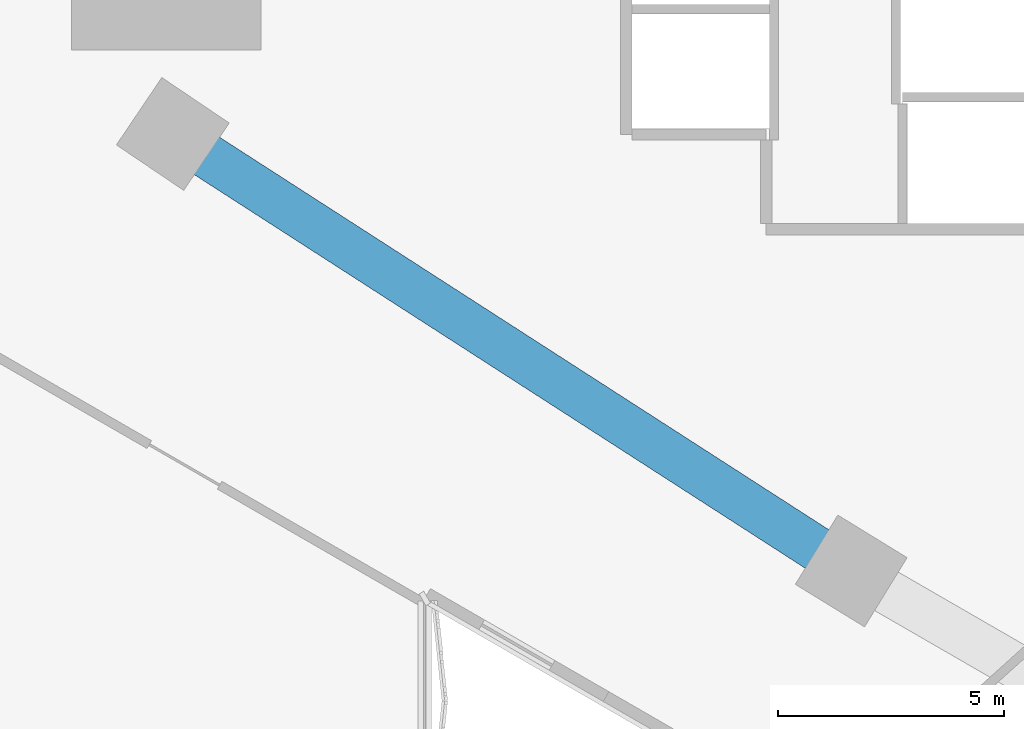
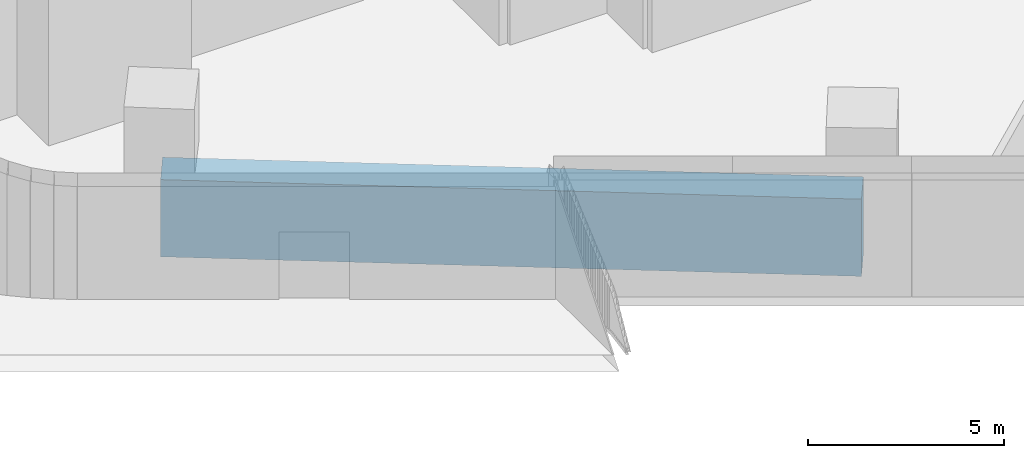
# One storey, part 3 of 24: 1 beam.
"""IFC4 building model written with IfcOpenShell, lengths in metres."""

from ifc_helpers import new_model, si_unit, direction, frame, origin, origin_2d, place, context, subcontext, project, spatial, rectangle, extrude, material, material_profile, profile_set, type_object, element, save


model = new_model("IFC4")

# Units and contexts
model_context = context("Model", 3, precision=1e-05, world=origin(), true_north=direction((0.0, 1.0)))
body_context = subcontext(model_context, "Body", "Model", "MODEL_VIEW")
ifc_project = project(units=[si_unit("LENGTHUNIT", "METRE"), si_unit("AREAUNIT", "SQUARE_METRE"), si_unit("VOLUMEUNIT", "CUBIC_METRE"), si_unit("PLANEANGLEUNIT", "RADIAN"), si_unit("MASSUNIT", "GRAM", prefix="KILO")], contexts=[model_context])

# Site, building, storey
site_placement = place(None, origin())
site = spatial("IfcSite", under=ifc_project, at=site_placement, CompositionType="ELEMENT")
building_placement = place(site_placement, origin())
building = spatial("IfcBuilding", under=site, at=building_placement, Name="Tamra Quay Hotel Tower", CompositionType="ELEMENT")
storey_placement = place(building_placement, frame((0.0, 0.0, 19.5)))
storey = spatial("IfcBuildingStorey", under=building, at=storey_placement, Name="L03", CompositionType="ELEMENT", Elevation=19.5)

# Beam
ifc_material = material(Name="Concrete M60", Category="concrete")
ifc_material_profile = material_profile(ifc_material, rectangle(XDim=1.0, YDim=2.39990234375, at=origin_2d()), Name="PODIUM RING GIRDER RC 1000x2400")
ifc_profile_set = profile_set([ifc_material_profile], Name="Concrete M60")
beam_type = type_object("IfcBeamType", Name="PODIUM RING GIRDER RC 1000x2400", PredefinedType="BEAM", material=ifc_profile_set)
beam_placement = place(storey_placement, frame((-35.58349609375, -3.564697265625, -1.550048828125), z_axis=(0.840663037387, -0.541558544915, 0.0), x_axis=(0.541558544915, 0.840663037387, 0.0)))
element("IfcBeam", 1, at=beam_placement, inside=storey, type_object=beam_type, Name="BM-PG007-L03", PredefinedType="BEAM", context=body_context, shape_type="SweptSolid", body=[
    extrude(rectangle(XDim=1.0, YDim=2.39990234375, at=origin_2d()), origin(), (0.0, 0.0, 1.0), 17.880615234375),
])

save(model, "model.ifc")
